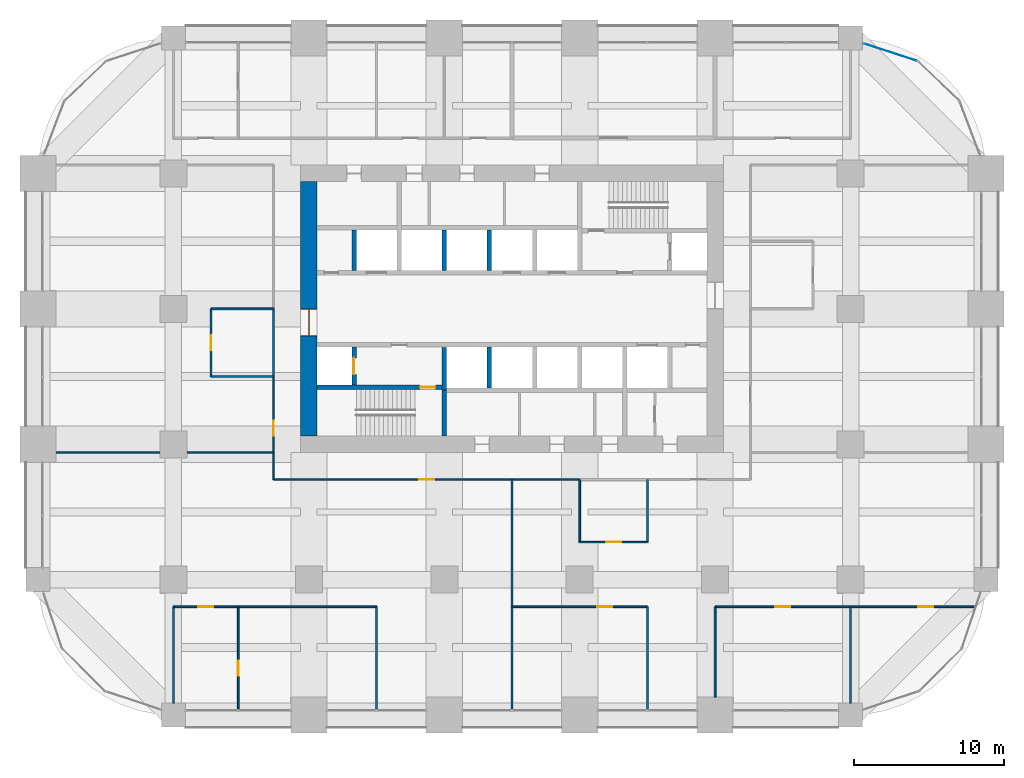
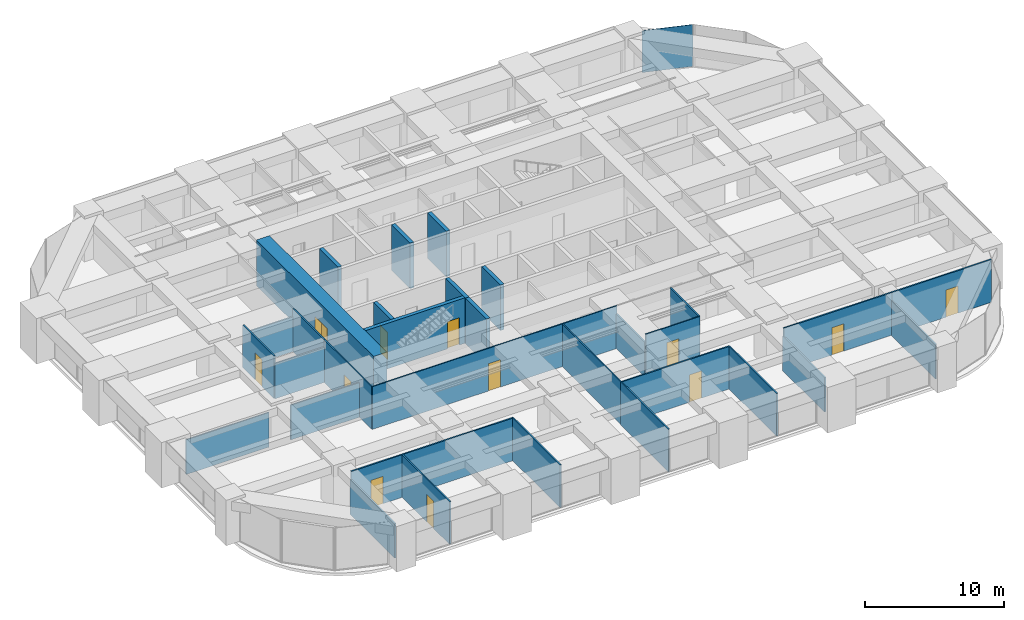
# One storey, part 38 of 42: 33 walls, 12 doors, 1 plate, 12 openings, 1 element without a shape of its own.
"""IFC4 building model written with IfcOpenShell, lengths in metres."""

from ifc_helpers import new_model, si_unit, direction, frame, frame_2d, origin, origin_2d, place, context, subcontext, project, spatial, rectangle, extrude, material, layer, layer_set, type_object, element, fill, aggregate, save


model = new_model("IFC4")

# Units and contexts
model_context = context("Model", 3, precision=1e-05, world=origin(), true_north=direction((0.0, 1.0)))
body_context = subcontext(model_context, "Body", "Model", "MODEL_VIEW")
ifc_project = project(units=[si_unit("LENGTHUNIT", "METRE"), si_unit("AREAUNIT", "SQUARE_METRE"), si_unit("VOLUMEUNIT", "CUBIC_METRE"), si_unit("PLANEANGLEUNIT", "RADIAN"), si_unit("MASSUNIT", "GRAM", prefix="KILO")], contexts=[model_context])

# Site, building, storey
site_placement = place(None, origin())
site = spatial("IfcSite", under=ifc_project, at=site_placement, CompositionType="ELEMENT")
building_placement = place(site_placement, origin())
building = spatial("IfcBuilding", under=site, at=building_placement, Name="Zorevar Civic Tower", CompositionType="ELEMENT")
storey_placement = place(building_placement, frame((0.0, 0.0, 149.0)))
storey = spatial("IfcBuildingStorey", under=building, at=storey_placement, Name="L36", CompositionType="ELEMENT", Elevation=149.0)

# Curtain wall, plate
ifc_material_1 = material(Name="Dark grey solar-control glass in black aluminium frame", Category="aluminium")
curtain_wall_type = type_object("IfcCurtainWallType", Name="Curtain wall CW3 mid zone", PredefinedType="NOTDEFINED", material=ifc_material_1)
curtain_wall_placement = place(storey_placement, origin())
curtain_wall = element("IfcCurtainWall", 1, at=curtain_wall_placement, inside=storey, type_object=curtain_wall_type, Name="CW3 L36", PredefinedType="NOTDEFINED")
ifc_material_2 = material(Name="Dark grey solar-control glass", Category="glass")
ifc_layer_1 = layer(ifc_material_2, 0.030029296875)
ifc_layer_set_1 = layer_set([ifc_layer_1], Name="CW3 panel 30")
plate_type = type_object("IfcPlateType", Name="CW3 panel 30", PredefinedType="CURTAIN_PANEL", material=ifc_layer_set_1)
plate_placement = place(storey_placement, frame((56.63232421875, 44.065185546875, 0.06005859375), z_axis=(0.0, 0.0, 1.0), x_axis=(-0.950650706548, 0.310263169163, 0.0)))
plate = element("IfcPlate", 2, at=plate_placement, type_object=plate_type, Name="CW3 panel 1.1", PredefinedType="CURTAIN_PANEL", context=body_context, shape_type="SweptSolid", body=[
    extrude(rectangle(XDim=3.734619140625, YDim=0.030029296875, at=origin_2d()), origin(), (0.0, 0.0, 1.0), 3.68994140625),
])
aggregate(curtain_wall, [plate])

# Wall, opening, door
ifc_material_3 = material(Name="Concrete C50/60", Category="concrete")
ifc_layer_2 = layer(ifc_material_3, 1.10009765625)
ifc_layer_set_2 = layer_set([ifc_layer_2], Name="Core wall 1100")
wall_type_1 = type_object("IfcWallType", Name="Core wall 1100", PredefinedType="SHEAR", material=ifc_layer_set_2)
wall_1_placement = place(storey_placement, frame((18.0, 35.449951171875, 0.0), z_axis=(0.0, 0.0, 1.0), x_axis=(0.0, -1.0, 0.0)))
wall_1 = element("IfcWall", 3, at=wall_1_placement, inside=storey, type_object=wall_type_1, Name="Core wall W L36", PredefinedType="SHEAR", context=body_context, shape_type="SweptSolid", body=[
    extrude(rectangle(XDim=16.89990234375, YDim=1.10009765625, at=frame_2d((8.449951171875, 0.0))), origin(), (0.0, 0.0, 1.0), 4.0),
])
opening_1_placement = place(wall_1_placement, frame((8.449951171875, 0.0, 0.0)))
opening_1 = element("IfcOpeningElement", 4, at=opening_1_placement, cuts=wall_1, Name="Opening L36.01", PredefinedType="OPENING", context=body_context, shape_type="SweptSolid", body=[
    extrude(rectangle(XDim=1.800048828125, YDim=2.39990234375, at=frame_2d((0.89990234375, 1.199951171875))), frame((0.0, 0.56005859375, 0.0), z_axis=(0.0, -1.0, 0.0), x_axis=(1.0, 0.0, 0.0)), (0.0, 0.0, 1.0), 1.1201171875),
])
ifc_material_4 = material(Name="Steel door set", Category="steel")
door_type_1 = type_object("IfcDoorType", Name="Fire door FD2 1800x2400", OperationType="DOUBLE_DOOR_DOUBLE_SWING", PredefinedType="DOOR", material=ifc_material_4)
door_1_placement = place(opening_1_placement, origin())
door_1 = element("IfcDoor", 5, at=door_1_placement, inside=storey, type_object=door_type_1, Name="Door L36 00", OperationType="DOUBLE_DOOR_DOUBLE_SWING", OverallHeight=2.39990234375, OverallWidth=1.800048828125, PredefinedType="DOOR", context=body_context, shape_type="SweptSolid", body=[
    extrude(rectangle(XDim=1.800048828125, YDim=2.39990234375, at=frame_2d((0.89990234375, 1.199951171875))), frame((0.0, 0.030029296875, 0.0), z_axis=(0.0, -1.0, 0.0), x_axis=(1.0, 0.0, 0.0)), (0.0, 0.0, 1.0), 0.06005859375),
    extrude(rectangle(XDim=0.04, YDim=2.39990234375, at=frame_2d((0.02001953125, 1.199951171875))), frame((0.0, 0.5498046875, 0.0), z_axis=(0.0, -1.0, 0.0), x_axis=(1.0, 0.0, 0.0)), (0.0, 0.0, 1.0), 1.099609375),
    extrude(rectangle(XDim=0.04, YDim=2.39990234375, at=frame_2d((1.780029296875, 1.199951171875))), frame((0.0, 0.5498046875, 0.0), z_axis=(0.0, -1.0, 0.0), x_axis=(1.0, 0.0, 0.0)), (0.0, 0.0, 1.0), 1.099609375),
    extrude(rectangle(XDim=1.800048828125, YDim=0.04, at=frame_2d((0.89990234375, 2.3798828125))), frame((0.0, 0.5498046875, 0.0), z_axis=(0.0, -1.0, 0.0), x_axis=(1.0, 0.0, 0.0)), (0.0, 0.0, 1.0), 1.099609375),
])
fill(opening_1, door_1)

ifc_material_5 = material(Name="Laminated glass in black aluminium frame", Category="aluminium")
ifc_layer_3 = layer(ifc_material_5, 0.10009765625)
ifc_layer_set_3 = layer_set([ifc_layer_3], Name="Glazed partition 100")
wall_type_2 = type_object("IfcWallType", Name="Glazed partition 100", PredefinedType="PARTITIONING", material=ifc_layer_set_3)
wall_2_placement = place(storey_placement, frame((36.0, 11.5, 0.0), z_axis=(0.0, 0.0, 1.0), x_axis=(1.0, 0.0, 0.0)))
wall_2 = element("IfcWall", 6, at=wall_2_placement, inside=storey, type_object=wall_type_2, Name="Glazed partition 100 L36", PredefinedType="PARTITIONING", context=body_context, shape_type="SweptSolid", body=[
    extrude(rectangle(XDim=4.5, YDim=0.10009765625, at=frame_2d((2.25, 0.0))), origin(), (0.0, 0.0, 1.0), 3.75),
])
opening_2_placement = place(wall_2_placement, frame((1.75, 0.0, 0.0)))
opening_2 = element("IfcOpeningElement", 7, at=opening_2_placement, cuts=wall_2, Name="Opening L36.21", PredefinedType="OPENING", context=body_context, shape_type="SweptSolid", body=[
    extrude(rectangle(XDim=1.0, YDim=2.39990234375, at=frame_2d((0.5, 1.199951171875))), frame((0.0, 0.06005859375, 0.0), z_axis=(0.0, -1.0, 0.0), x_axis=(1.0, 0.0, 0.0)), (0.0, 0.0, 1.0), 0.1201171875),
])
ifc_material_6 = material(Name="Timber door set", Category="wood")
door_type_2 = type_object("IfcDoorType", Name="Glazed door GD1 1000x2400", OperationType="SINGLE_SWING_LEFT", PredefinedType="DOOR", material=ifc_material_6)
door_2_placement = place(opening_2_placement, origin())
door_2 = element("IfcDoor", 8, at=door_2_placement, inside=storey, type_object=door_type_2, Name="Door L36 D1", OperationType="SINGLE_SWING_LEFT", OverallHeight=2.39990234375, OverallWidth=1.0, PredefinedType="DOOR", context=body_context, shape_type="SweptSolid", body=[
    extrude(rectangle(XDim=1.0, YDim=2.39990234375, at=frame_2d((0.5, 1.199951171875))), frame((0.0, 0.02001953125, 0.0), z_axis=(0.0, -1.0, 0.0), x_axis=(1.0, 0.0, 0.0)), (0.0, 0.0, 1.0), 0.0400390625),
])
fill(opening_2, door_2)

wall_3_placement = place(storey_placement, frame((15.64990234375, 15.64990234375, 0.0), z_axis=(0.0, 0.0, 1.0), x_axis=(1.0, 0.0, 0.0)))
wall_3 = element("IfcWall", 9, at=wall_3_placement, inside=storey, type_object=wall_type_2, Name="Glazed partition 100 L36", PredefinedType="PARTITIONING", context=body_context, shape_type="SweptSolid", body=[
    extrude(rectangle(XDim=20.35009765625, YDim=0.10009765625, at=frame_2d((10.175048828125, 0.0))), origin(), (0.0, 0.0, 1.0), 3.75),
])
opening_3_placement = place(wall_3_placement, frame((9.675048828125, 0.0, 0.0)))
opening_3 = element("IfcOpeningElement", 10, at=opening_3_placement, cuts=wall_3, Name="Opening L36.22", PredefinedType="OPENING", context=body_context, shape_type="SweptSolid", body=[
    extrude(rectangle(XDim=1.0, YDim=2.39990234375, at=frame_2d((0.5, 1.199951171875))), frame((0.0, 0.06005859375, 0.0), z_axis=(0.0, -1.0, 0.0), x_axis=(1.0, 0.0, 0.0)), (0.0, 0.0, 1.0), 0.1201171875),
])
door_3_placement = place(opening_3_placement, origin())
door_3 = element("IfcDoor", 11, at=door_3_placement, inside=storey, type_object=door_type_2, Name="Door L36 D1", OperationType="SINGLE_SWING_RIGHT", OverallHeight=2.39990234375, OverallWidth=1.0, PredefinedType="DOOR", context=body_context, shape_type="SweptSolid", body=[
    extrude(rectangle(XDim=1.0, YDim=2.39990234375, at=frame_2d((0.5, 1.199951171875))), frame((0.0, 0.02001953125, 0.0), z_axis=(0.0, -1.0, 0.0), x_axis=(1.0, 0.0, 0.0)), (0.0, 0.0, 1.0), 0.0400390625),
])
fill(opening_3, door_3)

# Walls
wall_4_placement = place(storey_placement, frame((1.199951171875, 17.449951171875, 0.0), z_axis=(0.0, 0.0, 1.0), x_axis=(1.0, 0.0, 0.0)))
element("IfcWall", 12, at=wall_4_placement, inside=storey, type_object=wall_type_2, Name="Glazed partition 100 L36", PredefinedType="PARTITIONING", context=body_context, shape_type="SweptSolid", body=[
    extrude(rectangle(XDim=6.900146484375, YDim=0.10009765625, at=frame_2d((3.4501953125, 0.0))), origin(), (0.0, 0.0, 1.0), 3.050048828125),
])
wall_5_placement = place(storey_placement, frame((9.89990234375, 17.449951171875, 0.0), z_axis=(0.0, 0.0, 1.0), x_axis=(1.0, 0.0, 0.0)))
element("IfcWall", 13, at=wall_5_placement, inside=storey, type_object=wall_type_2, Name="Glazed partition 100 L36", PredefinedType="PARTITIONING", context=body_context, shape_type="SweptSolid", body=[
    extrude(rectangle(XDim=5.75, YDim=0.10009765625, at=frame_2d((2.875, 0.0))), origin(), (0.0, 0.0, 1.0), 3.050048828125),
])

# Wall, opening, door
wall_6_placement = place(storey_placement, frame((15.64990234375, 15.64990234375, 0.0), z_axis=(0.0, 0.0, 1.0), x_axis=(0.0, 1.0, 0.0)))
wall_6 = element("IfcWall", 14, at=wall_6_placement, inside=storey, type_object=wall_type_2, Name="Glazed partition 100 L36", PredefinedType="PARTITIONING", context=body_context, shape_type="SweptSolid", body=[
    extrude(rectangle(XDim=6.85009765625, YDim=0.10009765625, at=frame_2d((3.425048828125, 0.0))), origin(), (0.0, 0.0, 1.0), 3.75),
])
opening_4_placement = place(wall_6_placement, frame((2.925048828125, 0.0, 0.0)))
opening_4 = element("IfcOpeningElement", 15, at=opening_4_placement, cuts=wall_6, Name="Opening L36.32", PredefinedType="OPENING", context=body_context, shape_type="SweptSolid", body=[
    extrude(rectangle(XDim=1.0, YDim=2.39990234375, at=frame_2d((0.5, 1.199951171875))), frame((0.0, 0.06005859375, 0.0), z_axis=(0.0, -1.0, 0.0), x_axis=(1.0, 0.0, 0.0)), (0.0, 0.0, 1.0), 0.1201171875),
])
door_4_placement = place(opening_4_placement, origin())
door_4 = element("IfcDoor", 16, at=door_4_placement, inside=storey, type_object=door_type_2, Name="Door L36 D1", OperationType="SINGLE_SWING_RIGHT", OverallHeight=2.39990234375, OverallWidth=1.0, PredefinedType="DOOR", context=body_context, shape_type="SweptSolid", body=[
    extrude(rectangle(XDim=1.0, YDim=2.39990234375, at=frame_2d((0.5, 1.199951171875))), frame((0.0, 0.02001953125, 0.0), z_axis=(0.0, -1.0, 0.0), x_axis=(1.0, 0.0, 0.0)), (0.0, 0.0, 1.0), 0.0400390625),
])
fill(opening_4, door_4)

# Wall
wall_7_placement = place(storey_placement, frame((31.5, 7.199951171875, 0.0), z_axis=(0.0, 0.0, 1.0), x_axis=(0.0, 1.0, 0.0)))
element("IfcWall", 17, at=wall_7_placement, inside=storey, type_object=wall_type_2, Name="Glazed partition 100 L36", PredefinedType="PARTITIONING", context=body_context, shape_type="SweptSolid", body=[
    extrude(rectangle(XDim=8.449951171875, YDim=0.10009765625, at=frame_2d((4.22509765625, 0.0))), origin(), (0.0, 0.0, 1.0), 3.75),
])

# Wall, opening, door
ifc_material_7 = material(Name="Concrete C40/50", Category="concrete")
ifc_layer_4 = layer(ifc_material_7, 0.300048828125)
ifc_layer_set_4 = layer_set([ifc_layer_4], Name="Inner core wall 300")
wall_type_3 = type_object("IfcWallType", Name="Inner core wall 300", PredefinedType="SHEAR", material=ifc_layer_set_4)
wall_8_placement = place(storey_placement, frame((18.550048828125, 21.800048828125, 0.0), z_axis=(0.0, 0.0, 1.0), x_axis=(1.0, 0.0, 0.0)))
wall_8 = element("IfcWall", 18, at=wall_8_placement, inside=storey, type_object=wall_type_3, Name="Inner core wall S00 L36", PredefinedType="SHEAR", context=body_context, shape_type="SweptSolid", body=[
    extrude(rectangle(XDim=8.300048828125, YDim=0.300048828125, at=frame_2d((4.14990234375, 0.0))), origin(), (0.0, 0.0, 1.0), 4.0),
])
opening_5_placement = place(wall_8_placement, frame((6.85009765625, 0.0, 0.0)))
opening_5 = element("IfcOpeningElement", 19, at=opening_5_placement, cuts=wall_8, Name="Opening L36.11", PredefinedType="OPENING", context=body_context, shape_type="SweptSolid", body=[
    extrude(rectangle(XDim=1.0, YDim=2.39990234375, at=frame_2d((0.5, 1.199951171875))), frame((0.0, 0.159912109375, 0.0), z_axis=(0.0, -1.0, 0.0), x_axis=(1.0, 0.0, 0.0)), (0.0, 0.0, 1.0), 0.320068359375),
])
ifc_material_8 = material(Name="Steel door set", Category="steel")
door_type_3 = type_object("IfcDoorType", Name="Fire door FD1 1000x2400", OperationType="SINGLE_SWING_LEFT", PredefinedType="DOOR", material=ifc_material_8)
door_5_placement = place(opening_5_placement, origin())
door_5 = element("IfcDoor", 20, at=door_5_placement, inside=storey, type_object=door_type_3, Name="Door L36 10", OperationType="SINGLE_SWING_RIGHT", OverallHeight=2.39990234375, OverallWidth=1.0, PredefinedType="DOOR", context=body_context, shape_type="SweptSolid", body=[
    extrude(rectangle(XDim=1.0, YDim=2.39990234375, at=frame_2d((0.5, 1.199951171875))), frame((0.0, 0.030029296875, 0.0), z_axis=(0.0, -1.0, 0.0), x_axis=(1.0, 0.0, 0.0)), (0.0, 0.0, 1.0), 0.06005859375),
])
fill(opening_5, door_5)

# Wall
wall_9_placement = place(storey_placement, frame((27.0, 18.550048828125, 0.0), z_axis=(0.0, 0.0, 1.0), x_axis=(0.0, 1.0, 0.0)))
element("IfcWall", 21, at=wall_9_placement, inside=storey, type_object=wall_type_3, Name="Inner core wall S01 L36", PredefinedType="SHEAR", context=body_context, shape_type="SweptSolid", body=[
    extrude(rectangle(XDim=3.050048828125, YDim=0.300048828125, at=frame_2d((1.52490234375, 0.0))), origin(), (0.0, 0.0, 1.0), 4.0),
])

# Wall, opening, door
wall_10_placement = place(storey_placement, frame((21.0, 21.949951171875, 0.0), z_axis=(0.0, 0.0, 1.0), x_axis=(0.0, 1.0, 0.0)))
wall_10 = element("IfcWall", 22, at=wall_10_placement, inside=storey, type_object=wall_type_3, Name="Inner core wall S02 L36", PredefinedType="SHEAR", context=body_context, shape_type="SweptSolid", body=[
    extrude(rectangle(XDim=2.5, YDim=0.300048828125, at=frame_2d((1.25, 0.0))), origin(), (0.0, 0.0, 1.0), 4.0),
])
opening_6_placement = place(wall_10_placement, frame((0.699951171875, 0.0, 0.0)))
opening_6 = element("IfcOpeningElement", 23, at=opening_6_placement, cuts=wall_10, Name="Opening L36.FL1", PredefinedType="OPENING", context=body_context, shape_type="SweptSolid", body=[
    extrude(rectangle(XDim=1.10009765625, YDim=2.39990234375, at=frame_2d((0.550048828125, 1.199951171875))), frame((0.0, 0.159912109375, 0.0), z_axis=(0.0, -1.0, 0.0), x_axis=(1.0, 0.0, 0.0)), (0.0, 0.0, 1.0), 0.320068359375),
])
ifc_material_9 = material(Name="Steel door set", Category="steel")
door_type_4 = type_object("IfcDoorType", Name="Firefighting lift landing door LD3 1100x2400", OperationType="DOUBLE_DOOR_SLIDING", PredefinedType="DOOR", material=ifc_material_9)
door_6_placement = place(opening_6_placement, origin())
door_6 = element("IfcDoor", 24, at=door_6_placement, inside=storey, type_object=door_type_4, Name="Landing door FL1 L36", OperationType="DOUBLE_DOOR_SLIDING", OverallHeight=2.39990234375, OverallWidth=1.10009765625, PredefinedType="DOOR", context=body_context, shape_type="SweptSolid", body=[
    extrude(rectangle(XDim=1.10009765625, YDim=2.39990234375, at=frame_2d((0.550048828125, 1.199951171875))), frame((0.0, 0.030029296875, 0.0), z_axis=(0.0, -1.0, 0.0), x_axis=(1.0, 0.0, 0.0)), (0.0, 0.0, 1.0), 0.06005859375),
])
fill(opening_6, door_6)

# Walls
for number, where, z_axis, x_axis, name in (
    (25, (30.0, 21.75, 0.0), (0.0, 0.0, 1.0), (0.0, 1.0, 0.0), "Inner core wall S05 L36"),
    (26, (30.0, 29.550048828125, 0.0), (0.0, 0.0, 1.0), (0.0, 1.0, 0.0), "Inner core wall N06 L36"),
    (27, (27.0, 29.550048828125, 0.0), (0.0, 0.0, 1.0), (0.0, 1.0, 0.0), "Inner core wall N07 L36"),
    (28, (21.0, 29.550048828125, 0.0), (0.0, 0.0, 1.0), (0.0, 1.0, 0.0), "Inner core wall N09 L36"),
):
    element("IfcWall", number, at=place(storey_placement, frame(where, z_axis=z_axis, x_axis=x_axis)), inside=storey, type_object=wall_type_3, Name=name, PredefinedType="SHEAR", context=body_context, shape_type="SweptSolid", body=[
        extrude(rectangle(XDim=2.699951171875, YDim=0.300048828125, at=frame_2d((1.35009765625, 0.0))), origin(), (0.0, 0.0, 1.0), 4.0),
    ])
wall_11_placement = place(storey_placement, frame((27.0, 21.60009765625, 0.0), z_axis=(0.0, 0.0, 1.0), x_axis=(0.0, 1.0, 0.0)))
element("IfcWall", 29, at=wall_11_placement, inside=storey, type_object=wall_type_3, Name="Inner core wall S10 L36", PredefinedType="SHEAR", context=body_context, shape_type="SweptSolid", body=[
    extrude(rectangle(XDim=2.849853515625, YDim=0.300048828125, at=frame_2d((1.4248046875, 0.0))), origin(), (0.0, 0.0, 1.0), 4.0),
])

# Wall, opening, door
ifc_material_10 = material(Name="Gypsum board on steel studs", Category="steel")
ifc_layer_5 = layer(ifc_material_10, 0.1201171875)
ifc_layer_set_5 = layer_set([ifc_layer_5], Name="Partition 120")
wall_type_4 = type_object("IfcWallType", Name="Partition 120", PredefinedType="PARTITIONING", material=ifc_layer_set_5)
wall_12_placement = place(storey_placement, frame((9.0, 7.199951171875, 0.0), z_axis=(0.0, 0.0, 1.0), x_axis=(1.0, 0.0, 0.0)))
wall_12 = element("IfcWall", 30, at=wall_12_placement, inside=storey, type_object=wall_type_4, Name="Partition 120 L36", PredefinedType="PARTITIONING", context=body_context, shape_type="SweptSolid", body=[
    extrude(rectangle(XDim=4.300048828125, YDim=0.1201171875, at=frame_2d((2.14990234375, 0.0))), origin(), (0.0, 0.0, 1.0), 3.75),
])
opening_7_placement = place(wall_12_placement, frame((1.64990234375, 0.0, 0.0)))
opening_7 = element("IfcOpeningElement", 31, at=opening_7_placement, cuts=wall_12, Name="Opening L36.17", PredefinedType="OPENING", context=body_context, shape_type="SweptSolid", body=[
    extrude(rectangle(XDim=1.0, YDim=2.39990234375, at=frame_2d((0.5, 1.199951171875))), frame((0.0, 0.070068359375, 0.0), z_axis=(0.0, -1.0, 0.0), x_axis=(1.0, 0.0, 0.0)), (0.0, 0.0, 1.0), 0.14013671875),
])
ifc_material_11 = material(Name="Timber door set", Category="wood")
door_type_5 = type_object("IfcDoorType", Name="Door D1 1000x2400", OperationType="SINGLE_SWING_LEFT", PredefinedType="DOOR", material=ifc_material_11)
door_7_placement = place(opening_7_placement, origin())
door_7 = element("IfcDoor", 32, at=door_7_placement, inside=storey, type_object=door_type_5, Name="Door L36 D1", OperationType="SINGLE_SWING_RIGHT", OverallHeight=2.39990234375, OverallWidth=1.0, PredefinedType="DOOR", context=body_context, shape_type="SweptSolid", body=[
    extrude(rectangle(XDim=1.0, YDim=2.39990234375, at=frame_2d((0.5, 1.199951171875))), frame((0.0, 0.02490234375, 0.0), z_axis=(0.0, -1.0, 0.0), x_axis=(1.0, 0.0, 0.0)), (0.0, 0.0, 1.0), 0.050048828125),
])
fill(opening_7, door_7)

# Wall
wall_13_placement = place(storey_placement, frame((13.300048828125, 7.199951171875, 0.0), z_axis=(0.0, 0.0, 1.0), x_axis=(1.0, 0.0, 0.0)))
element("IfcWall", 33, at=wall_13_placement, inside=storey, type_object=wall_type_4, Name="Partition 120 L36", PredefinedType="PARTITIONING", context=body_context, shape_type="SweptSolid", body=[
    extrude(rectangle(XDim=9.199951171875, YDim=0.1201171875, at=frame_2d((4.60009765625, 0.0))), origin(), (0.0, 0.0, 1.0), 3.75),
])

# Wall, opening, door
wall_14_placement = place(storey_placement, frame((31.5, 7.199951171875, 0.0), z_axis=(0.0, 0.0, 1.0), x_axis=(1.0, 0.0, 0.0)))
wall_14 = element("IfcWall", 34, at=wall_14_placement, inside=storey, type_object=wall_type_4, Name="Partition 120 L36", PredefinedType="PARTITIONING", context=body_context, shape_type="SweptSolid", body=[
    extrude(rectangle(XDim=9.0, YDim=0.1201171875, at=frame_2d((4.5, 0.0))), origin(), (0.0, 0.0, 1.0), 3.75),
])
opening_8_placement = place(wall_14_placement, frame((5.64990234375, 0.0, 0.0)))
opening_8 = element("IfcOpeningElement", 35, at=opening_8_placement, cuts=wall_14, Name="Opening L36.18", PredefinedType="OPENING", context=body_context, shape_type="SweptSolid", body=[
    extrude(rectangle(XDim=1.0, YDim=2.39990234375, at=frame_2d((0.5, 1.199951171875))), frame((0.0, 0.070068359375, 0.0), z_axis=(0.0, -1.0, 0.0), x_axis=(1.0, 0.0, 0.0)), (0.0, 0.0, 1.0), 0.14013671875),
])
door_8_placement = place(opening_8_placement, origin())
door_8 = element("IfcDoor", 36, at=door_8_placement, inside=storey, type_object=door_type_5, Name="Door L36 D1", OperationType="SINGLE_SWING_LEFT", OverallHeight=2.39990234375, OverallWidth=1.0, PredefinedType="DOOR", context=body_context, shape_type="SweptSolid", body=[
    extrude(rectangle(XDim=1.0, YDim=2.39990234375, at=frame_2d((0.5, 1.199951171875))), frame((0.0, 0.02490234375, 0.0), z_axis=(0.0, -1.0, 0.0), x_axis=(1.0, 0.0, 0.0)), (0.0, 0.0, 1.0), 0.050048828125),
])
fill(opening_8, door_8)

wall_15_placement = place(storey_placement, frame((45.0, 7.199951171875, 0.0), z_axis=(0.0, 0.0, 1.0), x_axis=(1.0, 0.0, 0.0)))
wall_15 = element("IfcWall", 37, at=wall_15_placement, inside=storey, type_object=wall_type_4, Name="Partition 120 L36", PredefinedType="PARTITIONING", context=body_context, shape_type="SweptSolid", body=[
    extrude(rectangle(XDim=9.0, YDim=0.1201171875, at=frame_2d((4.5, 0.0))), origin(), (0.0, 0.0, 1.0), 3.75),
])
opening_9_placement = place(wall_15_placement, frame((4.0, 0.0, 0.0)))
opening_9 = element("IfcOpeningElement", 38, at=opening_9_placement, cuts=wall_15, Name="Opening L36.19", PredefinedType="OPENING", context=body_context, shape_type="SweptSolid", body=[
    extrude(rectangle(XDim=1.0, YDim=2.39990234375, at=frame_2d((0.5, 1.199951171875))), frame((0.0, 0.070068359375, 0.0), z_axis=(0.0, -1.0, 0.0), x_axis=(1.0, 0.0, 0.0)), (0.0, 0.0, 1.0), 0.14013671875),
])
door_9_placement = place(opening_9_placement, origin())
door_9 = element("IfcDoor", 39, at=door_9_placement, inside=storey, type_object=door_type_5, Name="Door L36 D1", OperationType="SINGLE_SWING_LEFT", OverallHeight=2.39990234375, OverallWidth=1.0, PredefinedType="DOOR", context=body_context, shape_type="SweptSolid", body=[
    extrude(rectangle(XDim=1.0, YDim=2.39990234375, at=frame_2d((0.5, 1.199951171875))), frame((0.0, 0.02490234375, 0.0), z_axis=(0.0, -1.0, 0.0), x_axis=(1.0, 0.0, 0.0)), (0.0, 0.0, 1.0), 0.050048828125),
])
fill(opening_9, door_9)

wall_16_placement = place(storey_placement, frame((54.0, 7.199951171875, 0.0), z_axis=(0.0, 0.0, 1.0), x_axis=(1.0, 0.0, 0.0)))
wall_16 = element("IfcWall", 40, at=wall_16_placement, inside=storey, type_object=wall_type_4, Name="Partition 120 L36", PredefinedType="PARTITIONING", context=body_context, shape_type="SweptSolid", body=[
    extrude(rectangle(XDim=8.291259765625, YDim=0.1201171875, at=frame_2d((4.1455078125, 0.0))), origin(), (0.0, 0.0, 1.0), 3.75),
])
opening_10_placement = place(wall_16_placement, frame((4.5, 0.0, 0.0)))
opening_10 = element("IfcOpeningElement", 41, at=opening_10_placement, cuts=wall_16, Name="Opening L36.20", PredefinedType="OPENING", context=body_context, shape_type="SweptSolid", body=[
    extrude(rectangle(XDim=1.0, YDim=2.39990234375, at=frame_2d((0.5, 1.199951171875))), frame((0.0, 0.070068359375, 0.0), z_axis=(0.0, -1.0, 0.0), x_axis=(1.0, 0.0, 0.0)), (0.0, 0.0, 1.0), 0.14013671875),
])
door_10_placement = place(opening_10_placement, origin())
door_10 = element("IfcDoor", 42, at=door_10_placement, inside=storey, type_object=door_type_5, Name="Door L36 D1", OperationType="SINGLE_SWING_LEFT", OverallHeight=2.39990234375, OverallWidth=1.0, PredefinedType="DOOR", context=body_context, shape_type="SweptSolid", body=[
    extrude(rectangle(XDim=1.0, YDim=2.39990234375, at=frame_2d((0.5, 1.199951171875))), frame((0.0, 0.02490234375, 0.0), z_axis=(0.0, -1.0, 0.0), x_axis=(1.0, 0.0, 0.0)), (0.0, 0.0, 1.0), 0.050048828125),
])
fill(opening_10, door_10)

# Walls
wall_17_placement = place(storey_placement, frame((11.5, 22.5, 0.0), z_axis=(0.0, 0.0, 1.0), x_axis=(1.0, 0.0, 0.0)))
element("IfcWall", 43, at=wall_17_placement, inside=storey, type_object=wall_type_4, Name="Partition 120 L36", PredefinedType="PARTITIONING", context=body_context, shape_type="SweptSolid", body=[
    extrude(rectangle(XDim=4.14990234375, YDim=0.1201171875, at=frame_2d((2.074951171875, 0.0))), origin(), (0.0, 0.0, 1.0), 3.10009765625),
])
wall_18_placement = place(storey_placement, frame((11.5, 27.0, 0.0), z_axis=(0.0, 0.0, 1.0), x_axis=(1.0, 0.0, 0.0)))
element("IfcWall", 44, at=wall_18_placement, inside=storey, type_object=wall_type_4, Name="Partition 120 L36", PredefinedType="PARTITIONING", context=body_context, shape_type="SweptSolid", body=[
    extrude(rectangle(XDim=4.14990234375, YDim=0.1201171875, at=frame_2d((2.074951171875, 0.0))), origin(), (0.0, 0.0, 1.0), 3.050048828125),
])
wall_19_placement = place(storey_placement, frame((9.0, 0.800048828125, 0.0), z_axis=(0.0, 0.0, 1.0), x_axis=(0.0, 1.0, 0.0)))
element("IfcWall", 45, at=wall_19_placement, inside=storey, type_object=wall_type_4, Name="Partition 120 L36", PredefinedType="PARTITIONING", context=body_context, shape_type="SweptSolid", body=[
    extrude(rectangle(XDim=6.39990234375, YDim=0.1201171875, at=frame_2d((3.199951171875, 0.0))), origin(), (0.0, 0.0, 1.0), 3.050048828125),
])

# Wall, opening, door
wall_20_placement = place(storey_placement, frame((11.5, 22.5, 0.0), z_axis=(0.0, 0.0, 1.0), x_axis=(0.0, 1.0, 0.0)))
wall_20 = element("IfcWall", 46, at=wall_20_placement, inside=storey, type_object=wall_type_4, Name="Partition 120 L36", PredefinedType="PARTITIONING", context=body_context, shape_type="SweptSolid", body=[
    extrude(rectangle(XDim=4.5, YDim=0.1201171875, at=frame_2d((2.25, 0.0))), origin(), (0.0, 0.0, 1.0), 3.75),
])
opening_11_placement = place(wall_20_placement, frame((1.75, 0.0, 0.0)))
opening_11 = element("IfcOpeningElement", 47, at=opening_11_placement, cuts=wall_20, Name="Opening L36.29", PredefinedType="OPENING", context=body_context, shape_type="SweptSolid", body=[
    extrude(rectangle(XDim=1.0, YDim=2.39990234375, at=frame_2d((0.5, 1.199951171875))), frame((0.0, 0.070068359375, 0.0), z_axis=(0.0, -1.0, 0.0), x_axis=(1.0, 0.0, 0.0)), (0.0, 0.0, 1.0), 0.14013671875),
])
door_11_placement = place(opening_11_placement, origin())
door_11 = element("IfcDoor", 48, at=door_11_placement, inside=storey, type_object=door_type_5, Name="Door L36 D1", OperationType="SINGLE_SWING_RIGHT", OverallHeight=2.39990234375, OverallWidth=1.0, PredefinedType="DOOR", context=body_context, shape_type="SweptSolid", body=[
    extrude(rectangle(XDim=1.0, YDim=2.39990234375, at=frame_2d((0.5, 1.199951171875))), frame((0.0, 0.02490234375, 0.0), z_axis=(0.0, -1.0, 0.0), x_axis=(1.0, 0.0, 0.0)), (0.0, 0.0, 1.0), 0.050048828125),
])
fill(opening_11, door_11)

wall_21_placement = place(storey_placement, frame((13.300048828125, 0.31005859375, 0.0), z_axis=(0.0, 0.0, 1.0), x_axis=(0.0, 1.0, 0.0)))
wall_21 = element("IfcWall", 49, at=wall_21_placement, inside=storey, type_object=wall_type_4, Name="Partition 120 L36", PredefinedType="PARTITIONING", context=body_context, shape_type="SweptSolid", body=[
    extrude(rectangle(XDim=6.889892578125, YDim=0.1201171875, at=frame_2d((3.44482421875, 0.0))), origin(), (0.0, 0.0, 1.0), 3.75),
])
opening_12_placement = place(wall_21_placement, frame((2.2900390625, 0.0, 0.0)))
opening_12 = element("IfcOpeningElement", 50, at=opening_12_placement, cuts=wall_21, Name="Opening L36.31", PredefinedType="OPENING", context=body_context, shape_type="SweptSolid", body=[
    extrude(rectangle(XDim=1.0, YDim=2.39990234375, at=frame_2d((0.5, 1.199951171875))), frame((0.0, 0.070068359375, 0.0), z_axis=(0.0, -1.0, 0.0), x_axis=(1.0, 0.0, 0.0)), (0.0, 0.0, 1.0), 0.14013671875),
])
door_12_placement = place(opening_12_placement, origin())
door_12 = element("IfcDoor", 51, at=door_12_placement, inside=storey, type_object=door_type_5, Name="Door L36 D1", OperationType="SINGLE_SWING_LEFT", OverallHeight=2.39990234375, OverallWidth=1.0, PredefinedType="DOOR", context=body_context, shape_type="SweptSolid", body=[
    extrude(rectangle(XDim=1.0, YDim=2.39990234375, at=frame_2d((0.5, 1.199951171875))), frame((0.0, 0.02490234375, 0.0), z_axis=(0.0, -1.0, 0.0), x_axis=(1.0, 0.0, 0.0)), (0.0, 0.0, 1.0), 0.050048828125),
])
fill(opening_12, door_12)

# Walls
wall_22_placement = place(storey_placement, frame((15.64990234375, 22.5, 0.0), z_axis=(0.0, 0.0, 1.0), x_axis=(0.0, 1.0, 0.0)))
element("IfcWall", 52, at=wall_22_placement, inside=storey, type_object=wall_type_4, Name="Partition 120 L36", PredefinedType="PARTITIONING", context=body_context, shape_type="SweptSolid", body=[
    extrude(rectangle(XDim=4.5, YDim=0.1201171875, at=frame_2d((2.25, 0.0))), origin(), (0.0, 0.0, 1.0), 3.75),
])
for number, where, z_axis, x_axis, name in (
    (53, (22.5, 0.31005859375, 0.0), (0.0, 0.0, 1.0), (0.0, 1.0, 0.0), "Partition 120 L36"),
    (54, (31.5, 0.31005859375, 0.0), (0.0, 0.0, 1.0), (0.0, 1.0, 0.0), "Partition 120 L36"),
):
    element("IfcWall", number, at=place(storey_placement, frame(where, z_axis=z_axis, x_axis=x_axis)), inside=storey, type_object=wall_type_4, Name=name, PredefinedType="PARTITIONING", context=body_context, shape_type="SweptSolid", body=[
        extrude(rectangle(XDim=6.889892578125, YDim=0.1201171875, at=frame_2d((3.44482421875, 0.0))), origin(), (0.0, 0.0, 1.0), 3.75),
    ])
wall_23_placement = place(storey_placement, frame((36.0, 11.5, 0.0), z_axis=(0.0, 0.0, 1.0), x_axis=(0.0, 1.0, 0.0)))
element("IfcWall", 55, at=wall_23_placement, inside=storey, type_object=wall_type_4, Name="Partition 120 L36", PredefinedType="PARTITIONING", context=body_context, shape_type="SweptSolid", body=[
    extrude(rectangle(XDim=4.14990234375, YDim=0.1201171875, at=frame_2d((2.074951171875, 0.0))), origin(), (0.0, 0.0, 1.0), 3.050048828125),
])
wall_24_placement = place(storey_placement, frame((40.5, 0.31005859375, 0.0), z_axis=(0.0, 0.0, 1.0), x_axis=(0.0, 1.0, 0.0)))
element("IfcWall", 56, at=wall_24_placement, inside=storey, type_object=wall_type_4, Name="Partition 120 L36", PredefinedType="PARTITIONING", context=body_context, shape_type="SweptSolid", body=[
    extrude(rectangle(XDim=6.889892578125, YDim=0.1201171875, at=frame_2d((3.44482421875, 0.0))), origin(), (0.0, 0.0, 1.0), 3.75),
])
wall_25_placement = place(storey_placement, frame((40.5, 11.5, 0.0), z_axis=(0.0, 0.0, 1.0), x_axis=(0.0, 1.0, 0.0)))
element("IfcWall", 57, at=wall_25_placement, inside=storey, type_object=wall_type_4, Name="Partition 120 L36", PredefinedType="PARTITIONING", context=body_context, shape_type="SweptSolid", body=[
    extrude(rectangle(XDim=4.14990234375, YDim=0.1201171875, at=frame_2d((2.074951171875, 0.0))), origin(), (0.0, 0.0, 1.0), 3.75),
])
wall_26_placement = place(storey_placement, frame((45.0, 1.199951171875, 0.0), z_axis=(0.0, 0.0, 1.0), x_axis=(0.0, 1.0, 0.0)))
element("IfcWall", 58, at=wall_26_placement, inside=storey, type_object=wall_type_4, Name="Partition 120 L36", PredefinedType="PARTITIONING", context=body_context, shape_type="SweptSolid", body=[
    extrude(rectangle(XDim=6.0, YDim=0.1201171875, at=frame_2d((3.0, 0.0))), origin(), (0.0, 0.0, 1.0), 3.050048828125),
])
wall_27_placement = place(storey_placement, frame((54.0, 0.800048828125, 0.0), z_axis=(0.0, 0.0, 1.0), x_axis=(0.0, 1.0, 0.0)))
element("IfcWall", 59, at=wall_27_placement, inside=storey, type_object=wall_type_4, Name="Partition 120 L36", PredefinedType="PARTITIONING", context=body_context, shape_type="SweptSolid", body=[
    extrude(rectangle(XDim=6.39990234375, YDim=0.1201171875, at=frame_2d((3.199951171875, 0.0))), origin(), (0.0, 0.0, 1.0), 3.050048828125),
])

save(model, "model.ifc")
